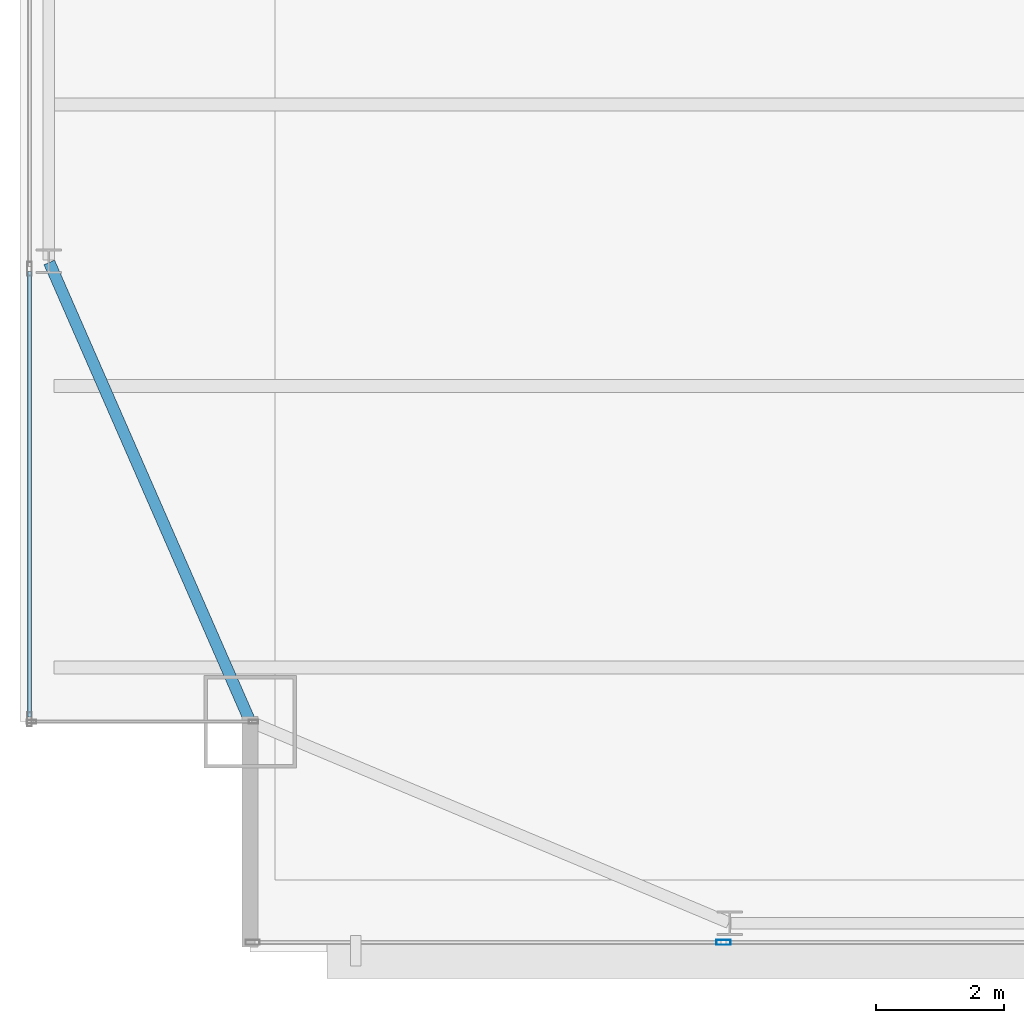
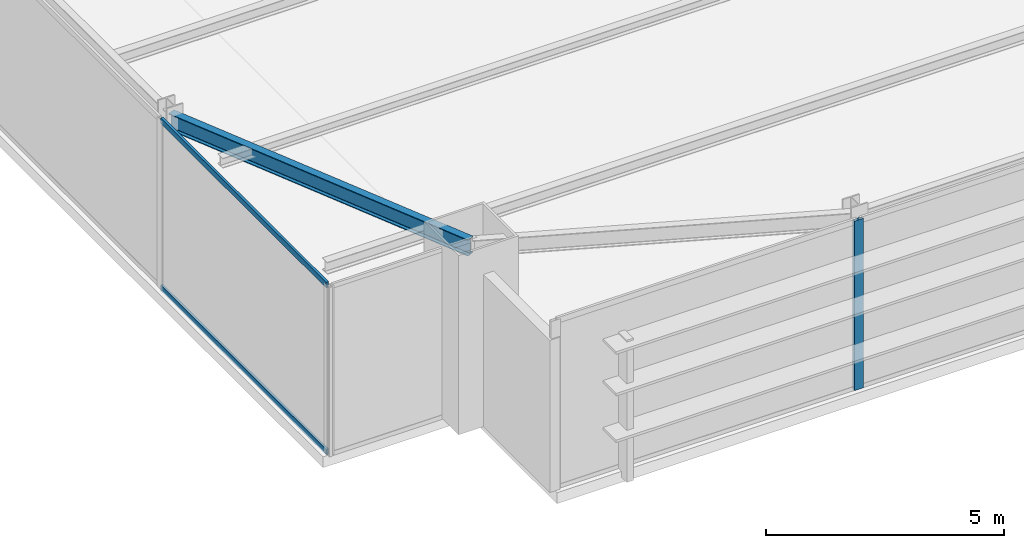
# One storey, part 5 of 32: 3 members, 1 beam, 2 elements without a shape of their own.
"""IFC4 building model written with IfcOpenShell, lengths in metres."""

import ifcopenshell
import ifcopenshell.guid

model = None  # the IFC model being written
_history = None  # IfcOwnerHistory: only IFC2X3 demands one
_inside = {}  # id of a spatial element -> (the spatial element, [elements in it])
_under = {}  # id of a project, library or spatial element -> (it, [spatial elements below it])
_declared = {}  # id of a project -> (the project, [libraries it declares])
_typed = {}  # id of a type object -> (the type object, [elements of that type])
_made_of = {}  # id of a material, layer set ... -> (it, [elements and type objects made of it])


def new_model(schema):
    """Start an empty IFC model of exactly this schema.

    Asked for "IFC4X3", IfcOpenShell would pick the latest addendum, in which some entities
    have other attributes; the version numbers below select the first issue.
    IFC2X3 requires an IfcOwnerHistory on every rooted entity: one is made here for all.
    """
    global model, _history
    if schema == "IFC4X3":
        model = ifcopenshell.file(schema_version=(4, 3, 0, 0))
    else:
        model = ifcopenshell.file(schema=schema)
    _inside.clear()
    _under.clear()
    _declared.clear()
    _typed.clear()
    _made_of.clear()
    _history = None
    if model.schema == "IFC2X3":
        org = make("IfcOrganization", Name="unknown")
        user = make(
            "IfcPersonAndOrganization",
            ThePerson=make("IfcPerson", FamilyName="unknown"),
            TheOrganization=org,
        )
        app = make(
            "IfcApplication",
            ApplicationDeveloper=org,
            Version="unknown",
            ApplicationFullName="unknown",
            ApplicationIdentifier="unknown",
        )
        _history = make(
            "IfcOwnerHistory",
            OwningUser=user,
            OwningApplication=app,
            ChangeAction="ADDED",
            CreationDate=0,
        )
    return model


def make(cls, **values):
    """One entity of the class cls with the attributes given. An attribute that is None is left unset."""
    return model.create_entity(
        cls, **{name: value for name, value in values.items() if value is not None}
    )


def rooted(cls, **values):
    """An entity with a GlobalId (a new one), such as an element, a storey or a relation."""
    return make(cls, GlobalId=ifcopenshell.guid.new(), OwnerHistory=_history, **values)


def si_unit(unit_type, name, prefix=None):
    """IfcSIUnit, for example si_unit("LENGTHUNIT", "METRE", prefix="MILLI")."""
    return make("IfcSIUnit", UnitType=unit_type, Prefix=prefix, Name=name)


def assignment(units):
    """IfcUnitAssignment: the units of a project."""
    return None if units is None else make("IfcUnitAssignment", Units=units)


def point(xyz):
    """IfcCartesianPoint."""
    return None if xyz is None else make("IfcCartesianPoint", Coordinates=xyz)


def direction(xyz):
    """IfcDirection."""
    return None if xyz is None else make("IfcDirection", DirectionRatios=xyz)


def frame(location, z_axis=None, x_axis=None):
    """IfcAxis2Placement3D, a coordinate frame: its origin and axes. An axis left out is left unset."""
    return make(
        "IfcAxis2Placement3D",
        Location=point(location),
        Axis=direction(z_axis),
        RefDirection=direction(x_axis),
    )


def frame_2d(location, x_axis=None):
    """IfcAxis2Placement2D, a coordinate frame in the plane: its origin and x axis."""
    return make(
        "IfcAxis2Placement2D", Location=point(location), RefDirection=direction(x_axis)
    )


def origin():
    """The frame at (0, 0, 0) with its axes left unset."""
    return frame((0.0, 0.0, 0.0))


def origin_2d():
    """The frame at (0, 0) in the plane with its x axis left unset."""
    return frame_2d((0.0, 0.0))


def place(relative_to, where):
    """IfcLocalPlacement: puts the frame where relative to a parent placement (None: the world)."""
    return make(
        "IfcLocalPlacement", PlacementRelTo=relative_to, RelativePlacement=where
    )


def context(
    kind, dimensions, precision=None, world=None, true_north=None, identifier=None
):
    """IfcGeometricRepresentationContext, for example the 3D "Model" context."""
    return make(
        "IfcGeometricRepresentationContext",
        ContextIdentifier=identifier,
        ContextType=kind,
        CoordinateSpaceDimension=dimensions,
        Precision=precision,
        WorldCoordinateSystem=world,
        TrueNorth=true_north,
    )


def subcontext(parent, identifier, kind, view, scale=None):
    """IfcGeometricRepresentationSubContext, for example "Body" below "Model"."""
    return make(
        "IfcGeometricRepresentationSubContext",
        ContextIdentifier=identifier,
        ContextType=kind,
        ParentContext=parent,
        TargetScale=scale,
        TargetView=view,
    )


def project(units=None, contexts=None):
    """IfcProject with its units and contexts."""
    return rooted(
        "IfcProject",
        Name="project",
        RepresentationContexts=contexts,
        UnitsInContext=assignment(units),
    )


def spatial(cls, under=None, at=None, **own):
    """A site, building, storey or space (cls), placed at a placement, below another one or the project."""
    s = rooted(cls, ObjectPlacement=at, **own)
    if under is not None:
        _under.setdefault(under.id(), (under, []))[1].append(s)
    return s


def profile(cls, at=None, kind="AREA", **sizes):
    """A parametric profile (cls). Its sizes go by their IFC names, for example OverallWidth=200.0."""
    return make(cls, ProfileType=kind, Position=at, **sizes)


def hollow_rectangle(**sizes):
    """IfcRectangleHollowProfileDef."""
    return profile("IfcRectangleHollowProfileDef", **sizes)


def i_section(**sizes):
    """IfcIShapeProfileDef."""
    return profile("IfcIShapeProfileDef", **sizes)


def extrude(swept, where, along, depth):
    """IfcExtrudedAreaSolid: the profile swept, set in the frame where, extruded along a direction by depth."""
    return make(
        "IfcExtrudedAreaSolid",
        SweptArea=swept,
        Position=where,
        ExtrudedDirection=direction(along),
        Depth=depth,
    )


def shape(context_of_items, identifier, shape_type, items):
    """IfcShapeRepresentation: the items that make up one representation, for example the "Body"."""
    return make(
        "IfcShapeRepresentation",
        ContextOfItems=context_of_items,
        RepresentationIdentifier=identifier,
        RepresentationType=shape_type,
        Items=items,
    )


def source(mapping_origin, context_of_items, identifier, shape_type, items):
    """IfcRepresentationMap: a shape defined once, which mapped items show again and again."""
    return make(
        "IfcRepresentationMap",
        MappingOrigin=mapping_origin,
        MappedRepresentation=shape(context_of_items, identifier, shape_type, items),
    )


def transform(
    local_origin,
    x_axis=None,
    y_axis=None,
    z_axis=None,
    scale=None,
    scale2=None,
    scale3=None,
    uniform=True,
):
    """IfcCartesianTransformationOperator3D, or its non-uniform kind. x_axis, y_axis, z_axis: its Axis1, 2, 3."""
    if uniform:
        return make(
            "IfcCartesianTransformationOperator3D",
            Axis1=direction(x_axis),
            Axis2=direction(y_axis),
            LocalOrigin=point(local_origin),
            Scale=scale,
            Axis3=direction(z_axis),
        )
    return make(
        "IfcCartesianTransformationOperator3DnonUniform",
        Axis1=direction(x_axis),
        Axis2=direction(y_axis),
        LocalOrigin=point(local_origin),
        Scale=scale,
        Axis3=direction(z_axis),
        Scale2=scale2,
        Scale3=scale3,
    )


def mapped(mapping_source, mapping_target):
    """IfcMappedItem: shows the shape of a source again, moved by a transform."""
    return make(
        "IfcMappedItem", MappingSource=mapping_source, MappingTarget=mapping_target
    )


def material(Name=None, Category=None):
    """IfcMaterial."""
    return make("IfcMaterial", Name=Name, Category=Category)


def layer(
    of_material, thickness, ventilated=None, Name=None, Category=None, Priority=None
):
    """IfcMaterialLayer: one layer of a wall or slab, of a material (None: an air gap)."""
    return make(
        "IfcMaterialLayer",
        Material=of_material,
        LayerThickness=thickness,
        IsVentilated=ventilated,
        Name=Name,
        Category=Category,
        Priority=Priority,
    )


def layer_set(layers, Name=None):
    """IfcMaterialLayerSet."""
    return make("IfcMaterialLayerSet", MaterialLayers=layers, LayerSetName=Name)


def material_profile(
    of_material, cross_section, Name=None, Category=None, Priority=None
):
    """IfcMaterialProfile: a cross section and its material."""
    return make(
        "IfcMaterialProfile",
        Name=Name,
        Material=of_material,
        Profile=cross_section,
        Priority=Priority,
        Category=Category,
    )


def profile_set(profiles, Name=None, composite=None):
    """IfcMaterialProfileSet."""
    return make(
        "IfcMaterialProfileSet",
        Name=Name,
        MaterialProfiles=profiles,
        CompositeProfile=composite,
    )


def made_of(thing, what):
    """Note that an element or type object is made of a material, layer set ...; save() writes the relation."""
    if what is not None:
        _made_of.setdefault(what.id(), (what, []))[1].append(thing)
    return thing


def type_object(cls, material=None, **own):
    """A type object (cls), such as IfcWallType, which elements share."""
    return made_of(rooted(cls, **own), material)


def type_shapes(of_type, sources):
    """Give a type object the sources (RepresentationMaps) that its elements show as mapped items."""
    of_type.RepresentationMaps = sources


def element(
    cls,
    number,
    at=None,
    inside=None,
    cuts=None,
    type_object=None,
    material=None,
    context=None,
    identifier="Body",
    shape_type=None,
    held_by="IfcProductDefinitionShape",
    body=None,
    shapes=None,
    **own,
):
    """One element of the class cls, such as IfcWall. Its Tag is "e" and its number.

    at: its placement. inside: the storey or other place that contains it. cuts: it is an
    opening in that element (IfcRelVoidsElement). A single representation is given by context,
    identifier, shape_type and body (its items); several are given by shapes. held_by: the class
    of the entity that holds the representations. save() writes the other relations.
    """
    e = rooted(cls, Tag="e%d" % number, ObjectPlacement=at, **own)
    if body is not None:
        shapes = [shape(context, identifier, shape_type, body)]
    if shapes is not None:
        e.Representation = make(held_by, Representations=shapes)
    if inside is not None:
        _inside.setdefault(inside.id(), (inside, []))[1].append(e)
    if cuts is not None:
        rooted(
            "IfcRelVoidsElement", RelatingBuildingElement=cuts, RelatedOpeningElement=e
        )
    if type_object is not None:
        _typed.setdefault(type_object.id(), (type_object, []))[1].append(e)
    return made_of(e, material)


def aggregate(whole, parts):
    """IfcRelAggregates: a whole, such as a stair, and the parts it consists of."""
    return rooted("IfcRelAggregates", RelatingObject=whole, RelatedObjects=parts)


def save(model, path):
    """Write the relations noted so far, then the file.

    IfcRelAggregates (storeys below a building ...), IfcRelContainedInSpatialStructure (elements
    in a storey), IfcRelDefinesByType, IfcRelAssociatesMaterial and IfcRelDeclares: one each for
    every whole, place, type object, material and project.
    """
    for whole, parts in _under.values():
        aggregate(whole, parts)
    for where, things in _inside.values():
        rooted(
            "IfcRelContainedInSpatialStructure",
            RelatedElements=things,
            RelatingStructure=where,
        )
    for kind, things in _typed.values():
        rooted("IfcRelDefinesByType", RelatedObjects=things, RelatingType=kind)
    for what, things in _made_of.values():
        rooted("IfcRelAssociatesMaterial", RelatedObjects=things, RelatingMaterial=what)
    for by, libraries in _declared.values():
        rooted("IfcRelDeclares", RelatingContext=by, RelatedDefinitions=libraries)
    model.write(path)


model = new_model("IFC4")

# Units and contexts
model_context = context("Model", 3, precision=1e-05, world=origin(), true_north=direction((0.0, 1.0)))
body_context = subcontext(model_context, "Body", "Model", "MODEL_VIEW")
ifc_project = project(units=[si_unit("LENGTHUNIT", "METRE"), si_unit("AREAUNIT", "SQUARE_METRE"), si_unit("VOLUMEUNIT", "CUBIC_METRE"), si_unit("PLANEANGLEUNIT", "RADIAN"), si_unit("MASSUNIT", "GRAM", prefix="KILO")], contexts=[model_context])

# Site, building, storey
site_placement = place(None, origin())
site = spatial("IfcSite", under=ifc_project, at=site_placement, CompositionType="ELEMENT")
building_placement = place(site_placement, origin())
building = spatial("IfcBuilding", under=site, at=building_placement, Name="Varnel Quay Broadcast Tower", CompositionType="ELEMENT")
storey_placement = place(building_placement, frame((0.0, 0.0, 98.39990234375)))
storey = spatial("IfcBuildingStorey", under=building, at=storey_placement, Name="L23", CompositionType="ELEMENT", Elevation=98.39990234375)

# Beam
ifc_material_1 = material(Name="Structural Steel CSA G40.21 350W", Category="steel")
ifc_material_profile_1 = material_profile(ifc_material_1, i_section(OverallWidth=0.180908203125, OverallDepth=0.4169921875, WebThickness=0.010986328125, FlangeThickness=0.018310546875, FilletRadius=0.011962890625, at=origin_2d()), Name="W410X85")
ifc_profile_set_1 = profile_set([ifc_material_profile_1], Name="Structural Steel CSA G40.21 350W")
beam_type = type_object("IfcBeamType", Name="Beam_W410X85", PredefinedType="SPANDREL", material=ifc_profile_set_1)
shared_shape_1 = source(origin(), body_context, "Body", "SweptSolid", [
    extrude(i_section(OverallWidth=0.180908203125, OverallDepth=0.4169921875, WebThickness=0.010986328125, FlangeThickness=0.018310546875, FilletRadius=0.011962890625, at=origin_2d()), origin(), (0.0, 0.0, 1.0), 7.81884765625),
])
type_shapes(beam_type, [shared_shape_1])
beam_placement = place(storey_placement, frame((8.092041015625, 7.818359375, 4.1416015625), z_axis=(-0.400827023998, 0.916153751743, 0.0), x_axis=(-0.916153751743, -0.400827023998, 0.0)))
element("IfcBeam", 1, at=beam_placement, inside=storey, type_object=beam_type, Name="L23 West Spandrel MC-SW-TC-W1", PredefinedType="SPANDREL", context=body_context, shape_type="MappedRepresentation", body=[
    mapped(shared_shape_1, transform((0.0, 0.0, 0.0), x_axis=(1.0, 0.0, 0.0), y_axis=(0.0, 1.0, 0.0), z_axis=(0.0, 0.0, 1.0), scale=1.0)),
])

# Curtain wall, member
ifc_material_2 = material(Name="Anodised Bronze Aluminium 6063-T6", Category="aluminium")
ifc_layer = layer(ifc_material_2, 0.18994140625, Name="Anodised Bronze Aluminium 6063-T6")
ifc_layer_set = layer_set([ifc_layer], Name="Anodised Bronze Aluminium 6063-T6")
curtain_wall_type = type_object("IfcCurtainWallType", Name="CW_SkyObsHighVis", PredefinedType="NOTDEFINED", material=ifc_layer_set)
curtain_wall_1_placement = place(storey_placement, origin())
curtain_wall_1 = element("IfcCurtainWall", 2, at=curtain_wall_1_placement, inside=storey, type_object=curtain_wall_type, Name="L23 South Unitised Curtain Wall 1", PredefinedType="NOTDEFINED")
ifc_material_profile_2 = material_profile(ifc_material_2, hollow_rectangle(XDim=0.074951171875, YDim=0.219970703125, WallThickness=0.00390625, at=origin_2d()), Name="ALU75X220X4")
ifc_profile_set_2 = profile_set([ifc_material_profile_2], Name="Anodised Bronze Aluminium 6063-T6")
member_type_1 = type_object("IfcMemberType", Name="Mull_CWS-05", PredefinedType="MULLION", material=ifc_profile_set_2)
shared_shape_2 = source(origin(), body_context, "Body", "SweptSolid", [
    extrude(hollow_rectangle(XDim=0.074951171875, YDim=0.219970703125, WallThickness=0.00390625, at=origin_2d()), origin(), (0.0, 0.0, 1.0), 4.35009765625),
])
type_shapes(member_type_1, [shared_shape_2])
member_1_placement = place(storey_placement, frame((15.5, 4.35009765625, 0.0), z_axis=(0.0, 0.0, 1.0), x_axis=(0.0, 1.0, 0.0)))
member_1 = element("IfcMember", 3, at=member_1_placement, type_object=member_type_1, Name="CWS-05 mullion 2", PredefinedType="MULLION", context=body_context, shape_type="MappedRepresentation", body=[
    mapped(shared_shape_2, transform((0.0, 0.0, 0.0), x_axis=(1.0, 0.0, 0.0), y_axis=(0.0, 1.0, 0.0), z_axis=(0.0, 0.0, 1.0), scale=1.0)),
])
aggregate(curtain_wall_1, [member_1])

# Curtain wall, members
curtain_wall_2_placement = place(storey_placement, origin())
curtain_wall_2 = element("IfcCurtainWall", 4, at=curtain_wall_2_placement, inside=storey, type_object=curtain_wall_type, Name="L23 West Unitised Curtain Wall", PredefinedType="NOTDEFINED")
ifc_material_profile_3 = material_profile(ifc_material_2, hollow_rectangle(XDim=0.06005859375, YDim=0.14501953125, WallThickness=0.00341796875, at=origin_2d()), Name="ALU60X145X3.5")
ifc_profile_set_3 = profile_set([ifc_material_profile_3], Name="Anodised Bronze Aluminium 6063-T6")
member_type_2 = type_object("IfcMemberType", Name="Tran_CWS-05", PredefinedType="USERDEFINED", material=ifc_profile_set_3)
shared_shape_3 = source(origin(), body_context, "Body", "SweptSolid", [
    extrude(hollow_rectangle(XDim=0.06005859375, YDim=0.14501953125, WallThickness=0.00341796875, at=origin_2d()), origin(), (0.0, 0.0, 1.0), 6.967529296875),
])
type_shapes(member_type_2, [shared_shape_3])
member_2_placement = place(storey_placement, frame((4.64990234375, 7.875, 0.030029296875), z_axis=(0.0, 1.0, 0.0), x_axis=(-1.0, 0.0, 0.0)))
member_2 = element("IfcMember", 5, at=member_2_placement, type_object=member_type_2, Name="CWS-05 transom 1.1", ObjectType="TRANSOM", PredefinedType="USERDEFINED", context=body_context, shape_type="MappedRepresentation", body=[
    mapped(shared_shape_3, transform((0.0, 0.0, 0.0), x_axis=(1.0, 0.0, 0.0), y_axis=(0.0, 1.0, 0.0), z_axis=(0.0, 0.0, 1.0), scale=1.0)),
])
member_3_placement = place(storey_placement, frame((4.64990234375, 7.875, 4.320068359375), z_axis=(0.0, 1.0, 0.0), x_axis=(-1.0, 0.0, 0.0)))
member_3 = element("IfcMember", 6, at=member_3_placement, type_object=member_type_2, Name="CWS-05 transom 1.2", ObjectType="TRANSOM", PredefinedType="USERDEFINED", context=body_context, shape_type="MappedRepresentation", body=[
    mapped(shared_shape_3, transform((0.0, 0.0, 0.0), x_axis=(1.0, 0.0, 0.0), y_axis=(0.0, 1.0, 0.0), z_axis=(0.0, 0.0, 1.0), scale=1.0)),
])
aggregate(curtain_wall_2, [member_2, member_3])

save(model, "model.ifc")
